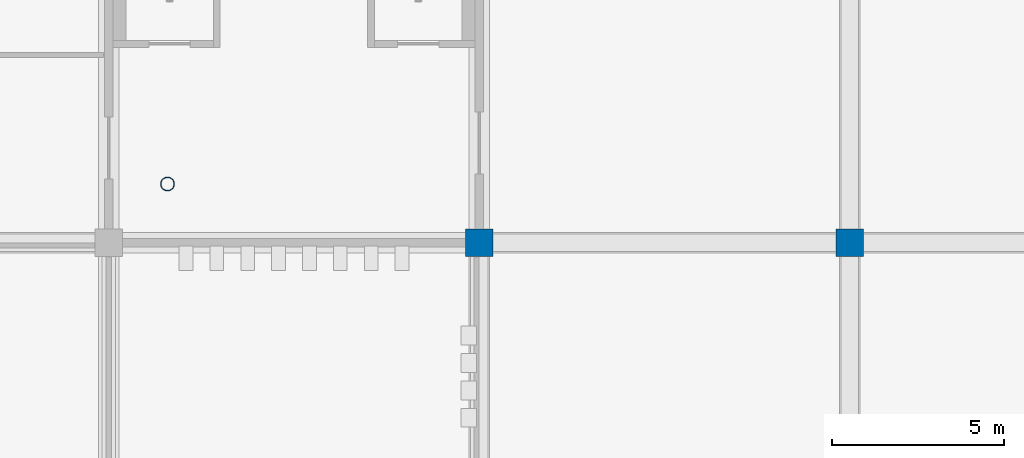
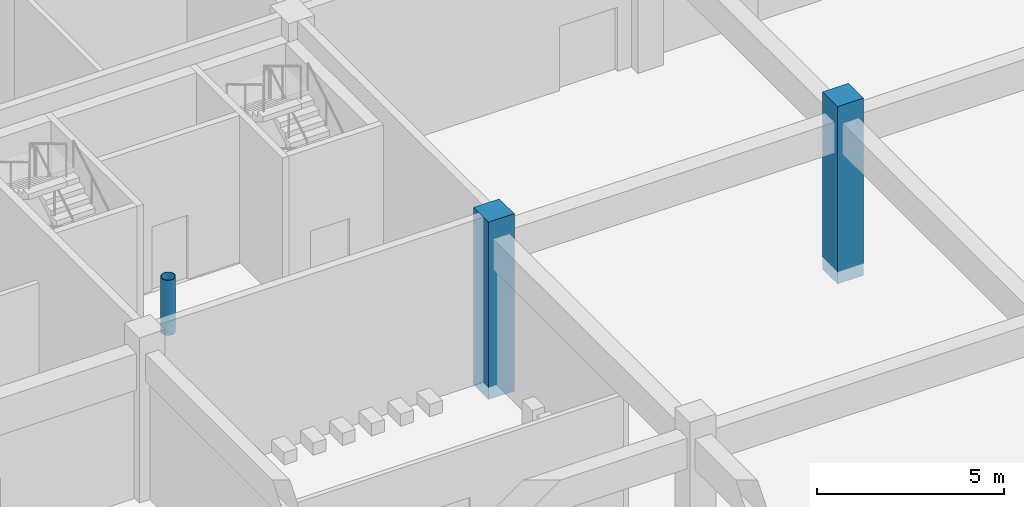
# One storey, part 2 of 101: 3 columns.
"""IFC4 building model written with IfcOpenShell, lengths in metres."""

from ifc_helpers import new_model, si_unit, direction, frame, origin, origin_2d, place, context, subcontext, project, spatial, rectangle, hollow_circle, extrude, material, material_profile, profile_set, type_object, element, save


model = new_model("IFC4")

# Units and contexts
model_context = context("Model", 3, precision=1e-05, world=origin(), true_north=direction((0.0, 1.0)))
body_context = subcontext(model_context, "Body", "Model", "MODEL_VIEW")
ifc_project = project(units=[si_unit("LENGTHUNIT", "METRE"), si_unit("AREAUNIT", "SQUARE_METRE"), si_unit("VOLUMEUNIT", "CUBIC_METRE"), si_unit("PLANEANGLEUNIT", "RADIAN"), si_unit("MASSUNIT", "GRAM", prefix="KILO")], contexts=[model_context])

# Site, building, storey
site_placement = place(None, origin())
site = spatial("IfcSite", under=ifc_project, at=site_placement, CompositionType="ELEMENT")
building_placement = place(site_placement, origin())
building = spatial("IfcBuilding", under=site, at=building_placement, Name="Magnolia Steps Interchange", CompositionType="ELEMENT")
storey_placement = place(building_placement, frame((0.0, 0.0, -5.39990234375)))
storey = spatial("IfcBuildingStorey", under=building, at=storey_placement, Name="B1", CompositionType="ELEMENT", Elevation=-5.39990234375)

# Columns
ifc_material_1 = material(Name="Concrete C40", Category="concrete")
ifc_material_profile_1 = material_profile(ifc_material_1, rectangle(XDim=0.800048828125, YDim=0.800048828125, at=origin_2d()), Name="RC800x800")
ifc_profile_set_1 = profile_set([ifc_material_profile_1], Name="Concrete C40")
column_type_1 = type_object("IfcColumnType", Name="RC column 800x800", PredefinedType="COLUMN", material=ifc_profile_set_1)
for number, where, z_axis, x_axis, name in (
    (1, (53.199951171875, 31.60009765625, -0.400146484375), (0.0, 0.0, 1.0), (1.0, 0.0, 0.0), "Column COV-5C B1"),
    (2, (64.0, 31.60009765625, -0.400146484375), (0.0, 0.0, 1.0), (1.0, 0.0, 0.0), "Column COV-6C B1"),
):
    element("IfcColumn", number, at=place(storey_placement, frame(where, z_axis=z_axis, x_axis=x_axis)), inside=storey, type_object=column_type_1, Name=name, PredefinedType="COLUMN", context=body_context, shape_type="SweptSolid", body=[
        extrude(rectangle(XDim=0.800048828125, YDim=0.800048828125, at=origin_2d()), origin(), (0.0, 0.0, 1.0), 5.800048828125),
    ])
ifc_material_2 = material(Name="Steel Q355B", Category="steel")
ifc_material_profile_2 = material_profile(ifc_material_2, hollow_circle(Radius=0.202880859375, WallThickness=0.01611328125, at=origin_2d()), Name="CHS406x16")
ifc_profile_set_2 = profile_set([ifc_material_profile_2], Name="Steel Q355B")
column_type_2 = type_object("IfcColumnType", Name="Truss tip prop CHS406x16", PredefinedType="COLUMN", material=ifc_profile_set_2)
column_placement = place(storey_placement, frame((44.11376953125, 33.313720703125, 3.599853515625), z_axis=(0.0, 0.0, 1.0), x_axis=(1.0, 0.0, 0.0)))
element("IfcColumn", 3, at=column_placement, inside=storey, type_object=column_type_2, Name="Tip prop SP-H-SW", PredefinedType="COLUMN", context=body_context, shape_type="SweptSolid", body=[
    extrude(hollow_circle(Radius=0.202880859375, WallThickness=0.01611328125, at=origin_2d()), origin(), (0.0, 0.0, 1.0), 1.800048828125),
])

save(model, "model.ifc")
